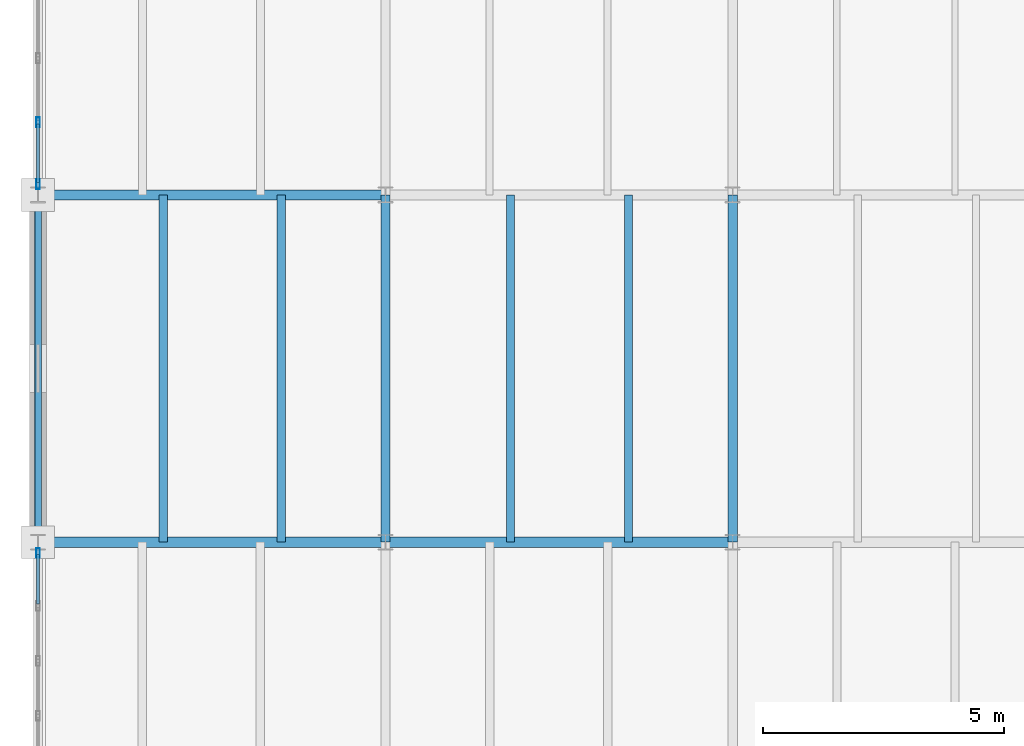
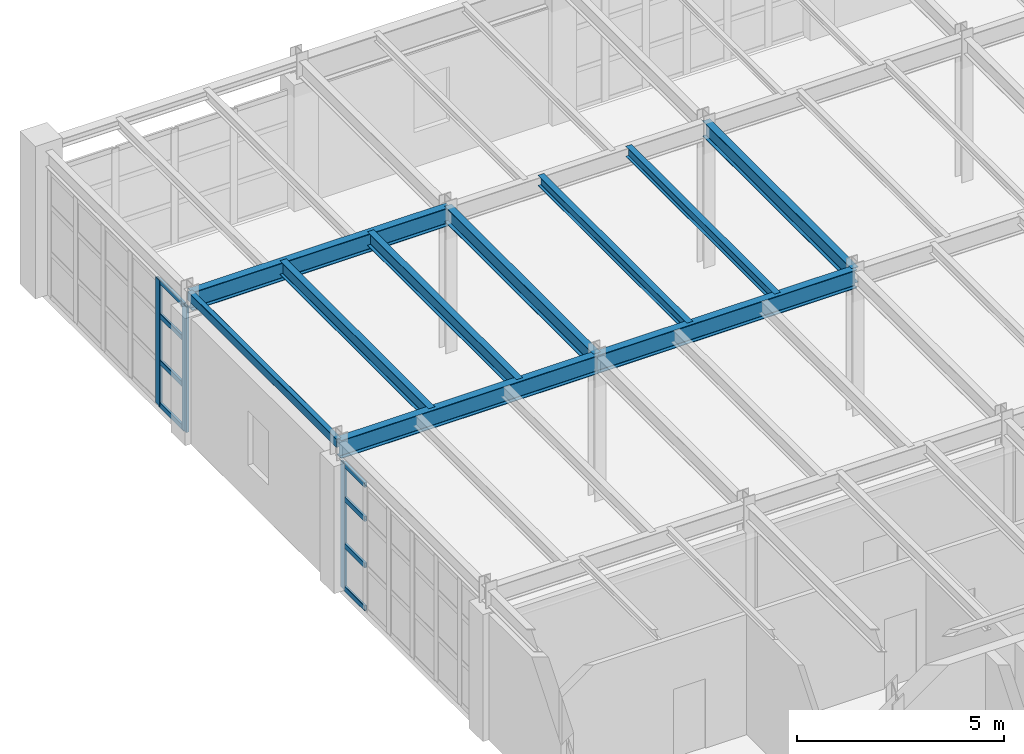
# One storey, part 57 of 137: 11 members, 10 beams, 2 elements without a shape of their own.
"""IFC4 building model written with IfcOpenShell, lengths in metres."""

import ifcopenshell
import ifcopenshell.guid

model = None  # the IFC model being written
_history = None  # IfcOwnerHistory: only IFC2X3 demands one
_inside = {}  # id of a spatial element -> (the spatial element, [elements in it])
_under = {}  # id of a project, library or spatial element -> (it, [spatial elements below it])
_declared = {}  # id of a project -> (the project, [libraries it declares])
_typed = {}  # id of a type object -> (the type object, [elements of that type])
_made_of = {}  # id of a material, layer set ... -> (it, [elements and type objects made of it])


def new_model(schema):
    """Start an empty IFC model of exactly this schema.

    Asked for "IFC4X3", IfcOpenShell would pick the latest addendum, in which some entities
    have other attributes; the version numbers below select the first issue.
    IFC2X3 requires an IfcOwnerHistory on every rooted entity: one is made here for all.
    """
    global model, _history
    if schema == "IFC4X3":
        model = ifcopenshell.file(schema_version=(4, 3, 0, 0))
    else:
        model = ifcopenshell.file(schema=schema)
    _inside.clear()
    _under.clear()
    _declared.clear()
    _typed.clear()
    _made_of.clear()
    _history = None
    if model.schema == "IFC2X3":
        org = make("IfcOrganization", Name="unknown")
        user = make(
            "IfcPersonAndOrganization",
            ThePerson=make("IfcPerson", FamilyName="unknown"),
            TheOrganization=org,
        )
        app = make(
            "IfcApplication",
            ApplicationDeveloper=org,
            Version="unknown",
            ApplicationFullName="unknown",
            ApplicationIdentifier="unknown",
        )
        _history = make(
            "IfcOwnerHistory",
            OwningUser=user,
            OwningApplication=app,
            ChangeAction="ADDED",
            CreationDate=0,
        )
    return model


def make(cls, **values):
    """One entity of the class cls with the attributes given. An attribute that is None is left unset."""
    return model.create_entity(
        cls, **{name: value for name, value in values.items() if value is not None}
    )


def rooted(cls, **values):
    """An entity with a GlobalId (a new one), such as an element, a storey or a relation."""
    return make(cls, GlobalId=ifcopenshell.guid.new(), OwnerHistory=_history, **values)


def si_unit(unit_type, name, prefix=None):
    """IfcSIUnit, for example si_unit("LENGTHUNIT", "METRE", prefix="MILLI")."""
    return make("IfcSIUnit", UnitType=unit_type, Prefix=prefix, Name=name)


def assignment(units):
    """IfcUnitAssignment: the units of a project."""
    return None if units is None else make("IfcUnitAssignment", Units=units)


def point(xyz):
    """IfcCartesianPoint."""
    return None if xyz is None else make("IfcCartesianPoint", Coordinates=xyz)


def direction(xyz):
    """IfcDirection."""
    return None if xyz is None else make("IfcDirection", DirectionRatios=xyz)


def frame(location, z_axis=None, x_axis=None):
    """IfcAxis2Placement3D, a coordinate frame: its origin and axes. An axis left out is left unset."""
    return make(
        "IfcAxis2Placement3D",
        Location=point(location),
        Axis=direction(z_axis),
        RefDirection=direction(x_axis),
    )


def frame_2d(location, x_axis=None):
    """IfcAxis2Placement2D, a coordinate frame in the plane: its origin and x axis."""
    return make(
        "IfcAxis2Placement2D", Location=point(location), RefDirection=direction(x_axis)
    )


def origin():
    """The frame at (0, 0, 0) with its axes left unset."""
    return frame((0.0, 0.0, 0.0))


def origin_2d():
    """The frame at (0, 0) in the plane with its x axis left unset."""
    return frame_2d((0.0, 0.0))


def place(relative_to, where):
    """IfcLocalPlacement: puts the frame where relative to a parent placement (None: the world)."""
    return make(
        "IfcLocalPlacement", PlacementRelTo=relative_to, RelativePlacement=where
    )


def context(
    kind, dimensions, precision=None, world=None, true_north=None, identifier=None
):
    """IfcGeometricRepresentationContext, for example the 3D "Model" context."""
    return make(
        "IfcGeometricRepresentationContext",
        ContextIdentifier=identifier,
        ContextType=kind,
        CoordinateSpaceDimension=dimensions,
        Precision=precision,
        WorldCoordinateSystem=world,
        TrueNorth=true_north,
    )


def subcontext(parent, identifier, kind, view, scale=None):
    """IfcGeometricRepresentationSubContext, for example "Body" below "Model"."""
    return make(
        "IfcGeometricRepresentationSubContext",
        ContextIdentifier=identifier,
        ContextType=kind,
        ParentContext=parent,
        TargetScale=scale,
        TargetView=view,
    )


def project(units=None, contexts=None):
    """IfcProject with its units and contexts."""
    return rooted(
        "IfcProject",
        Name="project",
        RepresentationContexts=contexts,
        UnitsInContext=assignment(units),
    )


def spatial(cls, under=None, at=None, **own):
    """A site, building, storey or space (cls), placed at a placement, below another one or the project."""
    s = rooted(cls, ObjectPlacement=at, **own)
    if under is not None:
        _under.setdefault(under.id(), (under, []))[1].append(s)
    return s


def profile(cls, at=None, kind="AREA", **sizes):
    """A parametric profile (cls). Its sizes go by their IFC names, for example OverallWidth=200.0."""
    return make(cls, ProfileType=kind, Position=at, **sizes)


def hollow_rectangle(**sizes):
    """IfcRectangleHollowProfileDef."""
    return profile("IfcRectangleHollowProfileDef", **sizes)


def i_section(**sizes):
    """IfcIShapeProfileDef."""
    return profile("IfcIShapeProfileDef", **sizes)


def extrude(swept, where, along, depth):
    """IfcExtrudedAreaSolid: the profile swept, set in the frame where, extruded along a direction by depth."""
    return make(
        "IfcExtrudedAreaSolid",
        SweptArea=swept,
        Position=where,
        ExtrudedDirection=direction(along),
        Depth=depth,
    )


def shape(context_of_items, identifier, shape_type, items):
    """IfcShapeRepresentation: the items that make up one representation, for example the "Body"."""
    return make(
        "IfcShapeRepresentation",
        ContextOfItems=context_of_items,
        RepresentationIdentifier=identifier,
        RepresentationType=shape_type,
        Items=items,
    )


def material(Name=None, Category=None):
    """IfcMaterial."""
    return make("IfcMaterial", Name=Name, Category=Category)


def layer(
    of_material, thickness, ventilated=None, Name=None, Category=None, Priority=None
):
    """IfcMaterialLayer: one layer of a wall or slab, of a material (None: an air gap)."""
    return make(
        "IfcMaterialLayer",
        Material=of_material,
        LayerThickness=thickness,
        IsVentilated=ventilated,
        Name=Name,
        Category=Category,
        Priority=Priority,
    )


def layer_set(layers, Name=None):
    """IfcMaterialLayerSet."""
    return make("IfcMaterialLayerSet", MaterialLayers=layers, LayerSetName=Name)


def material_profile(
    of_material, cross_section, Name=None, Category=None, Priority=None
):
    """IfcMaterialProfile: a cross section and its material."""
    return make(
        "IfcMaterialProfile",
        Name=Name,
        Material=of_material,
        Profile=cross_section,
        Priority=Priority,
        Category=Category,
    )


def profile_set(profiles, Name=None, composite=None):
    """IfcMaterialProfileSet."""
    return make(
        "IfcMaterialProfileSet",
        Name=Name,
        MaterialProfiles=profiles,
        CompositeProfile=composite,
    )


def made_of(thing, what):
    """Note that an element or type object is made of a material, layer set ...; save() writes the relation."""
    if what is not None:
        _made_of.setdefault(what.id(), (what, []))[1].append(thing)
    return thing


def type_object(cls, material=None, **own):
    """A type object (cls), such as IfcWallType, which elements share."""
    return made_of(rooted(cls, **own), material)


def element(
    cls,
    number,
    at=None,
    inside=None,
    cuts=None,
    type_object=None,
    material=None,
    context=None,
    identifier="Body",
    shape_type=None,
    held_by="IfcProductDefinitionShape",
    body=None,
    shapes=None,
    **own,
):
    """One element of the class cls, such as IfcWall. Its Tag is "e" and its number.

    at: its placement. inside: the storey or other place that contains it. cuts: it is an
    opening in that element (IfcRelVoidsElement). A single representation is given by context,
    identifier, shape_type and body (its items); several are given by shapes. held_by: the class
    of the entity that holds the representations. save() writes the other relations.
    """
    e = rooted(cls, Tag="e%d" % number, ObjectPlacement=at, **own)
    if body is not None:
        shapes = [shape(context, identifier, shape_type, body)]
    if shapes is not None:
        e.Representation = make(held_by, Representations=shapes)
    if inside is not None:
        _inside.setdefault(inside.id(), (inside, []))[1].append(e)
    if cuts is not None:
        rooted(
            "IfcRelVoidsElement", RelatingBuildingElement=cuts, RelatedOpeningElement=e
        )
    if type_object is not None:
        _typed.setdefault(type_object.id(), (type_object, []))[1].append(e)
    return made_of(e, material)


def aggregate(whole, parts):
    """IfcRelAggregates: a whole, such as a stair, and the parts it consists of."""
    return rooted("IfcRelAggregates", RelatingObject=whole, RelatedObjects=parts)


def save(model, path):
    """Write the relations noted so far, then the file.

    IfcRelAggregates (storeys below a building ...), IfcRelContainedInSpatialStructure (elements
    in a storey), IfcRelDefinesByType, IfcRelAssociatesMaterial and IfcRelDeclares: one each for
    every whole, place, type object, material and project.
    """
    for whole, parts in _under.values():
        aggregate(whole, parts)
    for where, things in _inside.values():
        rooted(
            "IfcRelContainedInSpatialStructure",
            RelatedElements=things,
            RelatingStructure=where,
        )
    for kind, things in _typed.values():
        rooted("IfcRelDefinesByType", RelatedObjects=things, RelatingType=kind)
    for what, things in _made_of.values():
        rooted("IfcRelAssociatesMaterial", RelatedObjects=things, RelatingMaterial=what)
    for by, libraries in _declared.values():
        rooted("IfcRelDeclares", RelatingContext=by, RelatedDefinitions=libraries)
    model.write(path)


model = new_model("IFC4")

# Units and contexts
model_context = context("Model", 3, precision=1e-05, world=origin(), true_north=direction((0.0, 1.0)))
body_context = subcontext(model_context, "Body", "Model", "MODEL_VIEW")
ifc_project = project(units=[si_unit("LENGTHUNIT", "METRE"), si_unit("AREAUNIT", "SQUARE_METRE"), si_unit("VOLUMEUNIT", "CUBIC_METRE"), si_unit("PLANEANGLEUNIT", "RADIAN"), si_unit("MASSUNIT", "GRAM", prefix="KILO")], contexts=[model_context])

# Site, building, storey
site_placement = place(None, origin())
site = spatial("IfcSite", under=ifc_project, at=site_placement, CompositionType="ELEMENT")
building_placement = place(site_placement, origin())
building = spatial("IfcBuilding", under=site, at=building_placement, Name="Kemerveld Promenade Tramway Depot", CompositionType="ELEMENT")
storey_placement = place(building_placement, frame((0.0, 0.0, 5.39990234375)))
storey = spatial("IfcBuildingStorey", under=building, at=storey_placement, Name="L01", CompositionType="ELEMENT", Elevation=5.39990234375)

# Beams
ifc_material_1 = material(Name="Steel S355", Category="steel")
ifc_material_profile_1 = material_profile(ifc_material_1, i_section(OverallWidth=0.2099609375, OverallDepth=0.53662109375, WebThickness=0.0107421875, FlangeThickness=0.017333984375, FilletRadius=0.0126953125, at=origin_2d()), Name="533x210x101 UB")
ifc_profile_set_1 = profile_set([ifc_material_profile_1], Name="Steel S355")
beam_type_1 = type_object("IfcBeamType", Name="BM-G05", PredefinedType="BEAM", material=ifc_profile_set_1)
for number, where, z_axis, x_axis, name in (
    (1, (0.0, 64.800048828125, 3.99169921875), (1.0, 0.0, 0.0), (0.0, 1.0, 0.0), "BMX-L01-01-02-K"),
    (2, (7.199951171875, 64.800048828125, 3.99169921875), (1.0, 0.0, 0.0), (0.0, 1.0, 0.0), "BMX-L01-02-03-K"),
    (3, (0.0, 72.0, 3.99169921875), (1.0, 0.0, 0.0), (0.0, 1.0, 0.0), "BMX-L01-01-02-L"),
):
    element("IfcBeam", number, at=place(storey_placement, frame(where, z_axis=z_axis, x_axis=x_axis)), inside=storey, type_object=beam_type_1, Name=name, PredefinedType="BEAM", context=body_context, shape_type="SweptSolid", body=[
        extrude(i_section(OverallWidth=0.2099609375, OverallDepth=0.53662109375, WebThickness=0.0107421875, FlangeThickness=0.017333984375, FilletRadius=0.0126953125, at=origin_2d()), origin(), (0.0, 0.0, 1.0), 7.199951171875),
    ])
ifc_material_profile_2 = material_profile(ifc_material_1, i_section(OverallWidth=0.19140625, OverallDepth=0.4599609375, WebThickness=0.010009765625, FlangeThickness=0.01611328125, FilletRadius=0.01025390625, at=origin_2d()), Name="457x191x82 UB")
ifc_profile_set_2 = profile_set([ifc_material_profile_2], Name="Steel S355")
beam_type_2 = type_object("IfcBeamType", Name="BM-G06", PredefinedType="BEAM", material=ifc_profile_set_2)
for number, where, z_axis, x_axis, name in (
    (4, (7.199951171875, 64.800048828125, 4.030029296875), (0.0, 1.0, 0.0), (-1.0, 0.0, 0.0), "BMY-L01-02-K-L"),
    (5, (14.39990234375, 64.800048828125, 4.030029296875), (0.0, 1.0, 0.0), (-1.0, 0.0, 0.0), "BMY-L01-03-K-L"),
):
    element("IfcBeam", number, at=place(storey_placement, frame(where, z_axis=z_axis, x_axis=x_axis)), inside=storey, type_object=beam_type_2, Name=name, PredefinedType="BEAM", context=body_context, shape_type="SweptSolid", body=[
        extrude(i_section(OverallWidth=0.19140625, OverallDepth=0.4599609375, WebThickness=0.010009765625, FlangeThickness=0.01611328125, FilletRadius=0.01025390625, at=origin_2d()), origin(), (0.0, 0.0, 1.0), 7.199951171875),
    ])
ifc_material_profile_3 = material_profile(ifc_material_1, i_section(OverallWidth=0.165771484375, OverallDepth=0.306640625, WebThickness=0.006591796875, FlangeThickness=0.01171875, FilletRadius=0.0087890625, at=origin_2d()), Name="305x165x46 UB")
ifc_profile_set_3 = profile_set([ifc_material_profile_3], Name="Steel S355")
beam_type_3 = type_object("IfcBeamType", Name="BM-J01", PredefinedType="JOIST", material=ifc_profile_set_3)
for number, where, z_axis, x_axis, name in (
    (6, (9.7919921875, 64.800048828125, 4.106689453125), (0.0, 1.0, 0.0), (-1.0, 0.0, 0.0), "JST-L01-02-K-1"),
    (7, (12.239990234375, 64.800048828125, 4.106689453125), (0.0, 1.0, 0.0), (-1.0, 0.0, 0.0), "JST-L01-02-K-2"),
):
    element("IfcBeam", number, at=place(storey_placement, frame(where, z_axis=z_axis, x_axis=x_axis)), inside=storey, type_object=beam_type_3, Name=name, PredefinedType="JOIST", context=body_context, shape_type="SweptSolid", body=[
        extrude(i_section(OverallWidth=0.165771484375, OverallDepth=0.306640625, WebThickness=0.006591796875, FlangeThickness=0.01171875, FilletRadius=0.0087890625, at=origin_2d()), origin(), (0.0, 0.0, 1.0), 7.199951171875),
    ])
ifc_material_profile_4 = material_profile(ifc_material_1, i_section(OverallWidth=0.1787109375, OverallDepth=0.409423828125, WebThickness=0.0087890625, FlangeThickness=0.014404296875, FilletRadius=0.01025390625, at=origin_2d()), Name="406x178x67 UB")
ifc_profile_set_4 = profile_set([ifc_material_profile_4], Name="Steel S355")
beam_type_4 = type_object("IfcBeamType", Name="BM-J05", PredefinedType="JOIST", material=ifc_profile_set_4)
for number, where, z_axis, x_axis, name in (
    (8, (2.592041015625, 64.800048828125, 4.055419921875), (0.0, 1.0, 0.0), (-1.0, 0.0, 0.0), "JST-L01-01-K-1"),
    (9, (5.0400390625, 64.800048828125, 4.055419921875), (0.0, 1.0, 0.0), (-1.0, 0.0, 0.0), "JST-L01-01-K-2"),
):
    element("IfcBeam", number, at=place(storey_placement, frame(where, z_axis=z_axis, x_axis=x_axis)), inside=storey, type_object=beam_type_4, Name=name, PredefinedType="JOIST", context=body_context, shape_type="SweptSolid", body=[
        extrude(i_section(OverallWidth=0.1787109375, OverallDepth=0.409423828125, WebThickness=0.0087890625, FlangeThickness=0.014404296875, FilletRadius=0.01025390625, at=origin_2d()), origin(), (0.0, 0.0, 1.0), 7.199951171875),
    ])
ifc_material_profile_5 = material_profile(ifc_material_1, hollow_rectangle(XDim=0.14990234375, YDim=0.25, WallThickness=0.010009765625, InnerFilletRadius=0.0048828125, OuterFilletRadius=0.014892578125, at=origin_2d()), Name="250x150x10.0 RHS")
ifc_profile_set_5 = profile_set([ifc_material_profile_5], Name="Steel S355")
beam_type_5 = type_object("IfcBeamType", Name="BM-SP2", PredefinedType="SPANDREL", material=ifc_profile_set_5)
beam_placement = place(storey_placement, frame((0.0, 64.800048828125, 4.135009765625), z_axis=(0.0, 1.0, 0.0), x_axis=(-1.0, 0.0, 0.0)))
element("IfcBeam", 10, at=beam_placement, inside=storey, type_object=beam_type_5, Name="BMY-L01-01-K-L", PredefinedType="SPANDREL", context=body_context, shape_type="SweptSolid", body=[
    extrude(hollow_rectangle(XDim=0.14990234375, YDim=0.25, WallThickness=0.010009765625, InnerFilletRadius=0.0048828125, OuterFilletRadius=0.014892578125, at=origin_2d()), origin(), (0.0, 0.0, 1.0), 7.199951171875),
])

# Curtain wall, member
ifc_material_2 = material(Name="Bronze anodised aluminium and solar glass", Category="aluminium")
ifc_layer_1 = layer(ifc_material_2, 0.199951171875)
ifc_layer_set_1 = layer_set([ifc_layer_1], Name="CW-SYS-12")
curtain_wall_type_1 = type_object("IfcCurtainWallType", Name="CW-SYS-12", PredefinedType="USERDEFINED", material=ifc_layer_set_1)
curtain_wall_1_placement = place(storey_placement, origin())
curtain_wall_1 = element("IfcCurtainWall", 11, at=curtain_wall_1_placement, inside=storey, type_object=curtain_wall_type_1, Name="CW-L01-V5W-09", ObjectType="GLAZED_CURTAIN_WALL", PredefinedType="USERDEFINED")
ifc_material_3 = material(Name="Bronze anodised aluminium", Category="aluminium")
ifc_material_profile_6 = material_profile(ifc_material_3, hollow_rectangle(XDim=0.074951171875, YDim=0.199951171875, WallThickness=0.0048828125, InnerFilletRadius=0.001953125, OuterFilletRadius=0.0048828125, at=origin_2d()), Name="CW-MUL-200x75")
ifc_profile_set_6 = profile_set([ifc_material_profile_6], Name="Bronze anodised aluminium")
member_type_1 = type_object("IfcMemberType", Name="CW-MUL-B", PredefinedType="MULLION", material=ifc_profile_set_6)
member_1_placement = place(storey_placement, frame((0.0, 64.5791015625, 0.0), z_axis=(0.0, 0.0, 1.0), x_axis=(-1.0, 0.0, 0.0)))
member_1 = element("IfcMember", 12, at=member_1_placement, type_object=member_type_1, Name="CW12 mullion 7", PredefinedType="MULLION", context=body_context, shape_type="SweptSolid", body=[
    extrude(hollow_rectangle(XDim=0.074951171875, YDim=0.199951171875, WallThickness=0.0048828125, InnerFilletRadius=0.001953125, OuterFilletRadius=0.0048828125, at=origin_2d()), origin(), (0.0, 0.0, 1.0), 3.70361328125),
])

# Curtain wall, members
ifc_layer_2 = layer(ifc_material_2, 0.199951171875)
ifc_layer_set_2 = layer_set([ifc_layer_2], Name="CW-SYS-14")
curtain_wall_type_2 = type_object("IfcCurtainWallType", Name="CW-SYS-14", PredefinedType="USERDEFINED", material=ifc_layer_set_2)
curtain_wall_2_placement = place(storey_placement, origin())
curtain_wall_2 = element("IfcCurtainWall", 13, at=curtain_wall_2_placement, inside=storey, type_object=curtain_wall_type_2, Name="CW-L01-V5W-11", ObjectType="GLAZED_CURTAIN_WALL", PredefinedType="USERDEFINED")
member_2_placement = place(storey_placement, frame((0.0, 72.220947265625, 0.0), z_axis=(0.0, 0.0, 1.0), x_axis=(-1.0, 0.0, 0.0)))
member_2 = element("IfcMember", 14, at=member_2_placement, type_object=member_type_1, Name="CW14 mullion 1", PredefinedType="MULLION", context=body_context, shape_type="SweptSolid", body=[
    extrude(hollow_rectangle(XDim=0.074951171875, YDim=0.199951171875, WallThickness=0.0048828125, InnerFilletRadius=0.001953125, OuterFilletRadius=0.0048828125, at=origin_2d()), origin(), (0.0, 0.0, 1.0), 3.70361328125),
])
member_3_placement = place(storey_placement, frame((0.0, 73.5078125, 0.0), z_axis=(0.0, 0.0, 1.0), x_axis=(-1.0, 0.0, 0.0)))
member_3 = element("IfcMember", 15, at=member_3_placement, type_object=member_type_1, Name="CW14 mullion 2", PredefinedType="MULLION", context=body_context, shape_type="SweptSolid", body=[
    extrude(hollow_rectangle(XDim=0.074951171875, YDim=0.199951171875, WallThickness=0.0048828125, InnerFilletRadius=0.001953125, OuterFilletRadius=0.0048828125, at=origin_2d()), origin(), (0.0, 0.0, 1.0), 3.70361328125),
])

# Member
ifc_material_profile_7 = material_profile(ifc_material_3, hollow_rectangle(XDim=0.06494140625, YDim=0.14990234375, WallThickness=0.00439453125, InnerFilletRadius=0.001953125, OuterFilletRadius=0.00439453125, at=origin_2d()), Name="CW-TRN-150x65")
ifc_profile_set_7 = profile_set([ifc_material_profile_7], Name="Bronze anodised aluminium")
member_type_2 = type_object("IfcMemberType", Name="CW-TRN-B", PredefinedType="USERDEFINED", material=ifc_profile_set_7)
member_4_placement = place(storey_placement, frame((0.0, 63.51513671875, 0.03271484375), z_axis=(0.0, 1.0, 0.0), x_axis=(-1.0, 0.0, 0.0)))
member_4 = element("IfcMember", 16, at=member_4_placement, type_object=member_type_2, Name="CW12 transom 6.1", ObjectType="TRANSOM", PredefinedType="USERDEFINED", context=body_context, shape_type="SweptSolid", body=[
    extrude(hollow_rectangle(XDim=0.06494140625, YDim=0.14990234375, WallThickness=0.00439453125, InnerFilletRadius=0.001953125, OuterFilletRadius=0.00439453125, at=origin_2d()), origin(), (0.0, 0.0, 1.0), 1.0263671875),
])

member_5_placement = place(storey_placement, frame((0.0, 63.51513671875, 1.296142578125), z_axis=(0.0, 1.0, 0.0), x_axis=(-1.0, 0.0, 0.0)))
member_5 = element("IfcMember", 17, at=member_5_placement, type_object=member_type_2, Name="CW12 transom 6.2", ObjectType="TRANSOM", PredefinedType="USERDEFINED", context=body_context, shape_type="SweptSolid", body=[
    extrude(hollow_rectangle(XDim=0.06494140625, YDim=0.14990234375, WallThickness=0.00439453125, InnerFilletRadius=0.001953125, OuterFilletRadius=0.00439453125, at=origin_2d()), origin(), (0.0, 0.0, 1.0), 1.0263671875),
])

member_6_placement = place(storey_placement, frame((0.0, 63.51513671875, 2.666015625), z_axis=(0.0, 1.0, 0.0), x_axis=(-1.0, 0.0, 0.0)))
member_6 = element("IfcMember", 18, at=member_6_placement, type_object=member_type_2, Name="CW12 transom 6.3", ObjectType="TRANSOM", PredefinedType="USERDEFINED", context=body_context, shape_type="SweptSolid", body=[
    extrude(hollow_rectangle(XDim=0.06494140625, YDim=0.14990234375, WallThickness=0.00439453125, InnerFilletRadius=0.001953125, OuterFilletRadius=0.00439453125, at=origin_2d()), origin(), (0.0, 0.0, 1.0), 1.0263671875),
])

member_7_placement = place(storey_placement, frame((0.0, 63.51513671875, 3.6708984375), z_axis=(0.0, 1.0, 0.0), x_axis=(-1.0, 0.0, 0.0)))
member_7 = element("IfcMember", 19, at=member_7_placement, type_object=member_type_2, Name="CW12 transom 6.4", ObjectType="TRANSOM", PredefinedType="USERDEFINED", context=body_context, shape_type="SweptSolid", body=[
    extrude(hollow_rectangle(XDim=0.06494140625, YDim=0.14990234375, WallThickness=0.00439453125, InnerFilletRadius=0.001953125, OuterFilletRadius=0.00439453125, at=origin_2d()), origin(), (0.0, 0.0, 1.0), 1.0263671875),
])

aggregate(curtain_wall_1, [member_1, member_4, member_5, member_6, member_7])

member_8_placement = place(storey_placement, frame((0.0, 72.258544921875, 0.03271484375), z_axis=(0.0, 1.0, 0.0), x_axis=(-1.0, 0.0, 0.0)))
member_8 = element("IfcMember", 20, at=member_8_placement, type_object=member_type_2, Name="CW14 transom 1.1", ObjectType="TRANSOM", PredefinedType="USERDEFINED", context=body_context, shape_type="SweptSolid", body=[
    extrude(hollow_rectangle(XDim=0.06494140625, YDim=0.14990234375, WallThickness=0.00439453125, InnerFilletRadius=0.001953125, OuterFilletRadius=0.00439453125, at=origin_2d()), origin(), (0.0, 0.0, 1.0), 1.211669921875),
])

member_9_placement = place(storey_placement, frame((0.0, 72.258544921875, 1.296142578125), z_axis=(0.0, 1.0, 0.0), x_axis=(-1.0, 0.0, 0.0)))
member_9 = element("IfcMember", 21, at=member_9_placement, type_object=member_type_2, Name="CW14 transom 1.2", ObjectType="TRANSOM", PredefinedType="USERDEFINED", context=body_context, shape_type="SweptSolid", body=[
    extrude(hollow_rectangle(XDim=0.06494140625, YDim=0.14990234375, WallThickness=0.00439453125, InnerFilletRadius=0.001953125, OuterFilletRadius=0.00439453125, at=origin_2d()), origin(), (0.0, 0.0, 1.0), 1.211669921875),
])

member_10_placement = place(storey_placement, frame((0.0, 72.258544921875, 2.666015625), z_axis=(0.0, 1.0, 0.0), x_axis=(-1.0, 0.0, 0.0)))
member_10 = element("IfcMember", 22, at=member_10_placement, type_object=member_type_2, Name="CW14 transom 1.3", ObjectType="TRANSOM", PredefinedType="USERDEFINED", context=body_context, shape_type="SweptSolid", body=[
    extrude(hollow_rectangle(XDim=0.06494140625, YDim=0.14990234375, WallThickness=0.00439453125, InnerFilletRadius=0.001953125, OuterFilletRadius=0.00439453125, at=origin_2d()), origin(), (0.0, 0.0, 1.0), 1.211669921875),
])

member_11_placement = place(storey_placement, frame((0.0, 72.258544921875, 3.6708984375), z_axis=(0.0, 1.0, 0.0), x_axis=(-1.0, 0.0, 0.0)))
member_11 = element("IfcMember", 23, at=member_11_placement, type_object=member_type_2, Name="CW14 transom 1.4", ObjectType="TRANSOM", PredefinedType="USERDEFINED", context=body_context, shape_type="SweptSolid", body=[
    extrude(hollow_rectangle(XDim=0.06494140625, YDim=0.14990234375, WallThickness=0.00439453125, InnerFilletRadius=0.001953125, OuterFilletRadius=0.00439453125, at=origin_2d()), origin(), (0.0, 0.0, 1.0), 1.211669921875),
])

aggregate(curtain_wall_2, [member_2, member_3, member_8, member_9, member_10, member_11])

save(model, "model.ifc")
